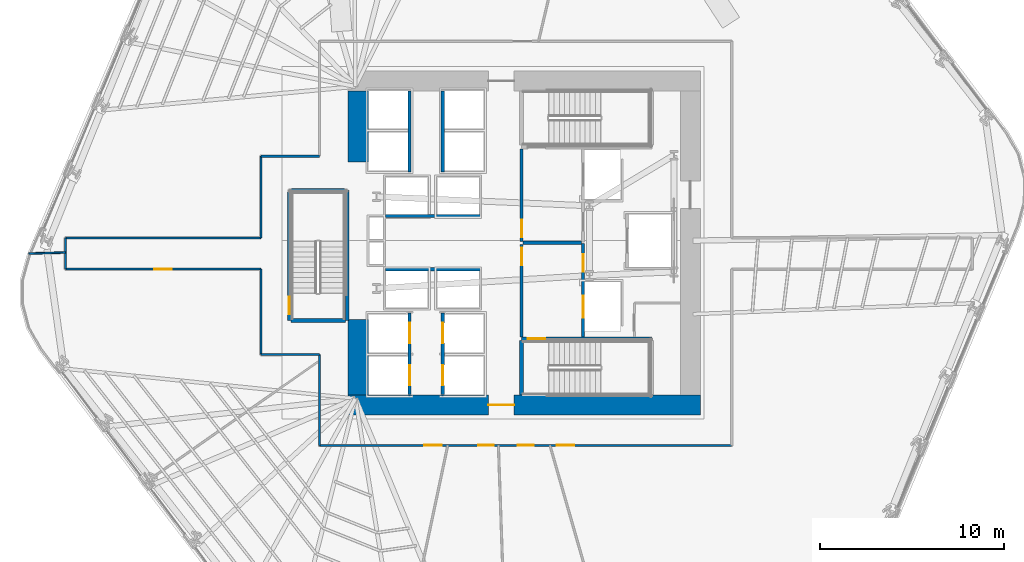
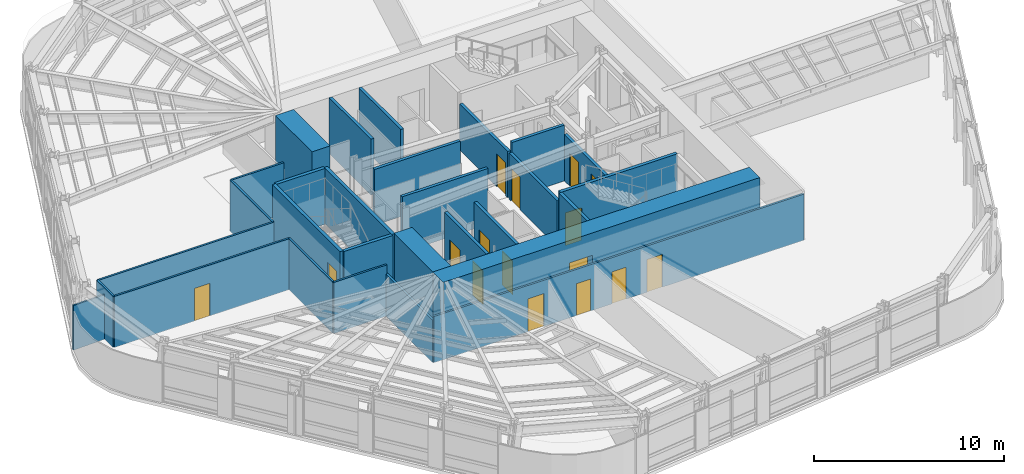
# One storey, part 8 of 16: 29 walls, 16 doors, 16 openings.
"""IFC4 building model written with IfcOpenShell, lengths in metres."""

from ifc_helpers import new_model, si_unit, direction, frame, frame_2d, origin, place, context, subcontext, project, spatial, rectangle, extrude, material, layer, layer_set, type_object, element, fill, save


model = new_model("IFC4")

# Units and contexts
model_context = context("Model", 3, precision=1e-05, world=origin(), true_north=direction((0.0, 1.0)))
body_context = subcontext(model_context, "Body", "Model", "MODEL_VIEW")
ifc_project = project(units=[si_unit("LENGTHUNIT", "METRE"), si_unit("AREAUNIT", "SQUARE_METRE"), si_unit("VOLUMEUNIT", "CUBIC_METRE"), si_unit("PLANEANGLEUNIT", "RADIAN"), si_unit("MASSUNIT", "GRAM", prefix="KILO")], contexts=[model_context])

# Site, building, storey
site_placement = place(None, origin())
site = spatial("IfcSite", under=ifc_project, at=site_placement, CompositionType="ELEMENT")
building_placement = place(site_placement, origin())
building = spatial("IfcBuilding", under=site, at=building_placement, Name="Valkerne Bourse Tower", CompositionType="ELEMENT")
storey_placement = place(building_placement, frame((0.0, 0.0, 54.39990234375)))
storey = spatial("IfcBuildingStorey", under=building, at=storey_placement, Name="L13", CompositionType="ELEMENT", Elevation=54.39990234375)

# Wall, opening, door
ifc_material_1 = material(Name="Concrete C70/85", Category="concrete")
ifc_layer_1 = layer(ifc_material_1, 1.10009765625)
ifc_layer_set_1 = layer_set([ifc_layer_1], Name="Concrete C70/85")
wall_type_1 = type_object("IfcWallType", Name="W-CORE-1100", PredefinedType="SHEAR", material=ifc_layer_set_1)
wall_1_placement = place(storey_placement, frame((37.199951171875, 18.050048828125, 0.0), z_axis=(0.0, 0.0, 1.0), x_axis=(1.0, 0.0, 0.0)))
wall_1 = element("IfcWall", 1, at=wall_1_placement, inside=storey, type_object=wall_type_1, Name="L13 Core Shear Wall SOUTH", PredefinedType="SHEAR", context=body_context, shape_type="SweptSolid", body=[
    extrude(rectangle(XDim=19.199951171875, YDim=1.10009765625, at=frame_2d((9.60009765625, 0.0))), origin(), (0.0, 0.0, 1.0), 3.580078125),
])
opening_1_placement = place(wall_1_placement, frame((7.64990234375, 0.0, 0.0)))
opening_1 = element("IfcOpeningElement", 2, at=opening_1_placement, cuts=wall_1, Name="Opening D-PL-1400", PredefinedType="OPENING", context=body_context, shape_type="SweptSolid", body=[
    extrude(rectangle(XDim=1.39990234375, YDim=2.14990234375, at=frame_2d((0.699951171875, 1.074951171875))), frame((0.0, 0.56005859375, 0.0), z_axis=(0.0, -1.0, 0.0), x_axis=(1.0, 0.0, 0.0)), (0.0, 0.0, 1.0), 1.1201171875),
])
ifc_material_2 = material(Name="Galvanised Painted Steel", Category="steel")
door_type_1 = type_object("IfcDoorType", Name="DR-PLT-1400", OperationType="DOUBLE_DOOR_SINGLE_SWING", PredefinedType="DOOR", material=ifc_material_2)
door_1_placement = place(opening_1_placement, origin())
door_1 = element("IfcDoor", 3, at=door_1_placement, inside=storey, type_object=door_type_1, Name="L13 South Passenger Lift Hall Fire Door", OperationType="DOUBLE_DOOR_SINGLE_SWING", OverallHeight=2.14990234375, OverallWidth=1.39990234375, PredefinedType="DOOR", context=body_context, shape_type="SweptSolid", body=[
    extrude(rectangle(XDim=1.39990234375, YDim=2.14990234375, at=frame_2d((0.699951171875, 1.074951171875))), frame((0.0, 0.02490234375, 0.0), z_axis=(0.0, -1.0, 0.0), x_axis=(1.0, 0.0, 0.0)), (0.0, 0.0, 1.0), 0.050048828125),
])
fill(opening_1, door_1)

# Walls
wall_2_placement = place(storey_placement, frame((37.75, 18.60009765625, 0.0), z_axis=(0.0, 0.0, 1.0), x_axis=(0.0, 1.0, 0.0)))
element("IfcWall", 4, at=wall_2_placement, inside=storey, type_object=wall_type_1, Name="L13 Core Shear Wall WEST-S", PredefinedType="SHEAR", context=body_context, shape_type="SweptSolid", body=[
    extrude(rectangle(XDim=4.099853515625, YDim=1.10009765625, at=frame_2d((2.0498046875, 0.0))), origin(), (0.0, 0.0, 1.0), 3.580078125),
])
wall_3_placement = place(storey_placement, frame((37.75, 31.300048828125, 0.0), z_axis=(0.0, 0.0, 1.0), x_axis=(0.0, 1.0, 0.0)))
element("IfcWall", 5, at=wall_3_placement, inside=storey, type_object=wall_type_1, Name="L13 Core Shear Wall WEST-N", PredefinedType="SHEAR", context=body_context, shape_type="SweptSolid", body=[
    extrude(rectangle(XDim=3.849853515625, YDim=1.10009765625, at=frame_2d((1.9248046875, 0.0))), origin(), (0.0, 0.0, 1.0), 3.580078125),
])

# Wall, openings, doors
ifc_material_3 = material(Name="Gypsum Board Steel-Stud Partition", Category="steel")
ifc_layer_2 = layer(ifc_material_3, 0.117919921875)
ifc_layer_set_2 = layer_set([ifc_layer_2], Name="Gypsum Board Steel-Stud Partition")
wall_type_2 = type_object("IfcWallType", Name="W-CORR-140", PredefinedType="PARTITIONING", material=ifc_layer_set_2)
wall_4_placement = place(storey_placement, frame((58.10009765625, 15.85009765625, 0.0), z_axis=(0.0, 0.0, 1.0), x_axis=(-1.0, 0.0, 0.0)))
wall_4 = element("IfcWall", 6, at=wall_4_placement, inside=storey, type_object=wall_type_2, Name="L13 Corridor Enclosure Wall", PredefinedType="PARTITIONING", context=body_context, shape_type="SweptSolid", body=[
    extrude(rectangle(XDim=22.4501953125, YDim=0.117919921875, at=frame_2d((11.22509765625, 0.0))), origin(), (0.0, 0.0, 1.0), 2.962890625),
])
opening_2_placement = place(wall_4_placement, frame((10.794921875, 0.0, 0.0)))
opening_2 = element("IfcOpeningElement", 7, at=opening_2_placement, cuts=wall_4, Name="Opening D-WC-900", PredefinedType="OPENING", context=body_context, shape_type="SweptSolid", body=[
    extrude(rectangle(XDim=0.860107421875, YDim=2.050048828125, at=frame_2d((0.43017578125, 1.02490234375))), frame((0.0, 0.06884765625, 0.0), z_axis=(0.0, -1.0, 0.0), x_axis=(1.0, 0.0, 0.0)), (0.0, 0.0, 1.0), 0.137939453125),
])
opening_3_placement = place(wall_4_placement, frame((12.955078125, 0.0, 0.0)))
opening_3 = element("IfcOpeningElement", 8, at=opening_3_placement, cuts=wall_4, Name="Opening D-WC-900", PredefinedType="OPENING", context=body_context, shape_type="SweptSolid", body=[
    extrude(rectangle(XDim=0.860107421875, YDim=2.050048828125, at=frame_2d((0.43017578125, 1.02490234375))), frame((0.0, 0.06884765625, 0.0), z_axis=(0.0, -1.0, 0.0), x_axis=(1.0, 0.0, 0.0)), (0.0, 0.0, 1.0), 0.137939453125),
])
opening_4_placement = place(wall_4_placement, frame((15.7900390625, 0.0, 0.0)))
opening_4 = element("IfcOpeningElement", 9, at=opening_4_placement, cuts=wall_4, Name="Opening D-OF-950", PredefinedType="OPENING", context=body_context, shape_type="SweptSolid", body=[
    extrude(rectangle(XDim=0.949951171875, YDim=2.10009765625, at=frame_2d((0.47509765625, 1.050048828125))), frame((0.0, 0.06884765625, 0.0), z_axis=(0.0, -1.0, 0.0), x_axis=(1.0, 0.0, 0.0)), (0.0, 0.0, 1.0), 0.137939453125),
])
opening_5_placement = place(wall_4_placement, frame((8.590087890625, 0.0, 0.0)))
opening_5 = element("IfcOpeningElement", 10, at=opening_5_placement, cuts=wall_4, Name="Opening D-OF-950", PredefinedType="OPENING", context=body_context, shape_type="SweptSolid", body=[
    extrude(rectangle(XDim=0.949951171875, YDim=2.10009765625, at=frame_2d((0.47509765625, 1.050048828125))), frame((0.0, 0.06884765625, 0.0), z_axis=(0.0, -1.0, 0.0), x_axis=(1.0, 0.0, 0.0)), (0.0, 0.0, 1.0), 0.137939453125),
])
ifc_material_4 = material(Name="Architectural White Oak Timber", Category="wood")
door_type_2 = type_object("IfcDoorType", Name="DR-OFF-950", OperationType="NOTDEFINED", PredefinedType="DOOR", material=ifc_material_4)
door_2_placement = place(opening_4_placement, origin())
door_2 = element("IfcDoor", 11, at=door_2_placement, inside=storey, type_object=door_type_2, Name="L13 L13 Occupational Wellness Clinic 4 Door", OperationType="SINGLE_SWING_LEFT", OverallHeight=2.10009765625, OverallWidth=0.949951171875, PredefinedType="DOOR", context=body_context, shape_type="SweptSolid", body=[
    extrude(rectangle(XDim=0.949951171875, YDim=2.10009765625, at=frame_2d((0.47509765625, 1.050048828125))), frame((0.0, 0.02490234375, 0.0), z_axis=(0.0, -1.0, 0.0), x_axis=(1.0, 0.0, 0.0)), (0.0, 0.0, 1.0), 0.050048828125),
])
fill(opening_4, door_2)
door_3_placement = place(opening_5_placement, origin())
door_3 = element("IfcDoor", 12, at=door_3_placement, inside=storey, type_object=door_type_2, Name="L13 L13 Trading Desk Office 6 Door", OperationType="SINGLE_SWING_LEFT", OverallHeight=2.10009765625, OverallWidth=0.949951171875, PredefinedType="DOOR", context=body_context, shape_type="SweptSolid", body=[
    extrude(rectangle(XDim=0.949951171875, YDim=2.10009765625, at=frame_2d((0.47509765625, 1.050048828125))), frame((0.0, 0.02490234375, 0.0), z_axis=(0.0, -1.0, 0.0), x_axis=(1.0, 0.0, 0.0)), (0.0, 0.0, 1.0), 0.050048828125),
])
fill(opening_5, door_3)
door_type_3 = type_object("IfcDoorType", Name="DR-WC-900", OperationType="NOTDEFINED", PredefinedType="DOOR", material=ifc_material_4)
door_4_placement = place(opening_2_placement, origin())
door_4 = element("IfcDoor", 13, at=door_4_placement, inside=storey, type_object=door_type_3, Name="L13 L13 Men Bathroom WC 1 Door", OperationType="SINGLE_SWING_LEFT", OverallHeight=2.050048828125, OverallWidth=0.860107421875, PredefinedType="DOOR", context=body_context, shape_type="SweptSolid", body=[
    extrude(rectangle(XDim=0.860107421875, YDim=2.050048828125, at=frame_2d((0.43017578125, 1.02490234375))), frame((0.0, 0.02490234375, 0.0), z_axis=(0.0, -1.0, 0.0), x_axis=(1.0, 0.0, 0.0)), (0.0, 0.0, 1.0), 0.050048828125),
])
fill(opening_2, door_4)
door_5_placement = place(opening_3_placement, origin())
door_5 = element("IfcDoor", 14, at=door_5_placement, inside=storey, type_object=door_type_3, Name="L13 L13 Women Restroom & Shower WC 2 Door", OperationType="SINGLE_SWING_LEFT", OverallHeight=2.050048828125, OverallWidth=0.860107421875, PredefinedType="DOOR", context=body_context, shape_type="SweptSolid", body=[
    extrude(rectangle(XDim=0.860107421875, YDim=2.050048828125, at=frame_2d((0.43017578125, 1.02490234375))), frame((0.0, 0.02490234375, 0.0), z_axis=(0.0, -1.0, 0.0), x_axis=(1.0, 0.0, 0.0)), (0.0, 0.0, 1.0), 0.050048828125),
])
fill(opening_3, door_5)

# Walls
wall_5_placement = place(storey_placement, frame((35.64990234375, 15.85009765625, 0.0), z_axis=(0.0, 0.0, 1.0), x_axis=(0.0, 1.0, 0.0)))
element("IfcWall", 15, at=wall_5_placement, inside=storey, type_object=wall_type_2, Name="L13 Corridor Enclosure Wall", PredefinedType="PARTITIONING", context=body_context, shape_type="SweptSolid", body=[
    extrude(rectangle(XDim=4.949951171875, YDim=0.117919921875, at=frame_2d((2.47509765625, 0.0))), origin(), (0.0, 0.0, 1.0), 2.71142578125),
])
wall_6_placement = place(storey_placement, frame((35.64990234375, 20.800048828125, 0.0), z_axis=(0.0, 0.0, 1.0), x_axis=(-1.0, 0.0, 0.0)))
element("IfcWall", 16, at=wall_6_placement, inside=storey, type_object=wall_type_2, Name="L13 Corridor Enclosure Wall", PredefinedType="PARTITIONING", context=body_context, shape_type="SweptSolid", body=[
    extrude(rectangle(XDim=3.199951171875, YDim=0.117919921875, at=frame_2d((1.60009765625, 0.0))), origin(), (0.0, 0.0, 1.0), 3.280029296875),
])
wall_7_placement = place(storey_placement, frame((32.449951171875, 20.800048828125, 0.0), z_axis=(0.0, 0.0, 1.0), x_axis=(0.0, 1.0, 0.0)))
element("IfcWall", 17, at=wall_7_placement, inside=storey, type_object=wall_type_2, Name="L13 Corridor Enclosure Wall", PredefinedType="PARTITIONING", context=body_context, shape_type="SweptSolid", body=[
    extrude(rectangle(XDim=4.64990234375, YDim=0.117919921875, at=frame_2d((2.324951171875, 0.0))), origin(), (0.0, 0.0, 1.0), 3.280029296875),
])

# Wall, opening, door
wall_8_placement = place(storey_placement, frame((32.449951171875, 25.449951171875, 0.0), z_axis=(0.0, 0.0, 1.0), x_axis=(-1.0, 0.0, 0.0)))
wall_8 = element("IfcWall", 18, at=wall_8_placement, inside=storey, type_object=wall_type_2, Name="L13 Corridor Enclosure Wall", PredefinedType="PARTITIONING", context=body_context, shape_type="SweptSolid", body=[
    extrude(rectangle(XDim=10.64990234375, YDim=0.117919921875, at=frame_2d((5.324951171875, 0.0))), origin(), (0.0, 0.0, 1.0), 3.280029296875),
])
opening_6_placement = place(wall_8_placement, frame((4.85009765625, 0.0, 0.0)))
opening_6 = element("IfcOpeningElement", 19, at=opening_6_placement, cuts=wall_8, Name="Opening D-OF-950", PredefinedType="OPENING", context=body_context, shape_type="SweptSolid", body=[
    extrude(rectangle(XDim=0.949951171875, YDim=2.10009765625, at=frame_2d((0.47509765625, 1.050048828125))), frame((0.0, 0.06884765625, 0.0), z_axis=(0.0, -1.0, 0.0), x_axis=(1.0, 0.0, 0.0)), (0.0, 0.0, 1.0), 0.137939453125),
])
door_6_placement = place(opening_6_placement, origin())
door_6 = element("IfcDoor", 20, at=door_6_placement, inside=storey, type_object=door_type_2, Name="L13 L13 Occupational Wellness Clinic 3 Door", OperationType="SINGLE_SWING_LEFT", OverallHeight=2.10009765625, OverallWidth=0.949951171875, PredefinedType="DOOR", context=body_context, shape_type="SweptSolid", body=[
    extrude(rectangle(XDim=0.949951171875, YDim=2.10009765625, at=frame_2d((0.47509765625, 1.050048828125))), frame((0.0, 0.02490234375, 0.0), z_axis=(0.0, -1.0, 0.0), x_axis=(1.0, 0.0, 0.0)), (0.0, 0.0, 1.0), 0.050048828125),
])
fill(opening_6, door_6)

# Walls
wall_9_placement = place(storey_placement, frame((21.800048828125, 25.449951171875, 0.0), z_axis=(0.0, 0.0, 1.0), x_axis=(0.0, 1.0, 0.0)))
element("IfcWall", 21, at=wall_9_placement, inside=storey, type_object=wall_type_2, Name="L13 Corridor Enclosure Wall", PredefinedType="PARTITIONING", context=body_context, shape_type="SweptSolid", body=[
    extrude(rectangle(XDim=1.699951171875, YDim=0.117919921875, at=frame_2d((0.85009765625, 0.0))), origin(), (0.0, 0.0, 1.0), 3.280029296875),
])
wall_10_placement = place(storey_placement, frame((21.800048828125, 27.14990234375, 0.0), z_axis=(0.0, 0.0, 1.0), x_axis=(1.0, 0.0, 0.0)))
element("IfcWall", 22, at=wall_10_placement, inside=storey, type_object=wall_type_2, Name="L13 Corridor Enclosure Wall", PredefinedType="PARTITIONING", context=body_context, shape_type="SweptSolid", body=[
    extrude(rectangle(XDim=10.64990234375, YDim=0.117919921875, at=frame_2d((5.324951171875, 0.0))), origin(), (0.0, 0.0, 1.0), 3.280029296875),
])
wall_11_placement = place(storey_placement, frame((32.449951171875, 27.14990234375, 0.0), z_axis=(0.0, 0.0, 1.0), x_axis=(0.0, 1.0, 0.0)))
element("IfcWall", 23, at=wall_11_placement, inside=storey, type_object=wall_type_2, Name="L13 Corridor Enclosure Wall", PredefinedType="PARTITIONING", context=body_context, shape_type="SweptSolid", body=[
    extrude(rectangle(XDim=4.4501953125, YDim=0.117919921875, at=frame_2d((2.22509765625, 0.0))), origin(), (0.0, 0.0, 1.0), 3.280029296875),
])
wall_12_placement = place(storey_placement, frame((32.449951171875, 31.60009765625, 0.0), z_axis=(0.0, 0.0, 1.0), x_axis=(1.0, 0.0, 0.0)))
element("IfcWall", 24, at=wall_12_placement, inside=storey, type_object=wall_type_2, Name="L13 Corridor Enclosure Wall", PredefinedType="PARTITIONING", context=body_context, shape_type="SweptSolid", body=[
    extrude(rectangle(XDim=3.199951171875, YDim=0.117919921875, at=frame_2d((1.60009765625, 0.0))), origin(), (0.0, 0.0, 1.0), 3.280029296875),
])
ifc_material_5 = material(Name="Gypsum Fire-Rated Shaftwall", Category="gypsum")
ifc_layer_3 = layer(ifc_material_5, 0.179931640625)
ifc_layer_set_3 = layer_set([ifc_layer_3], Name="Gypsum Fire-Rated Shaftwall")
wall_type_3 = type_object("IfcWallType", Name="W-FSAE-180", PredefinedType="PARTITIONING", material=ifc_layer_set_3)
wall_13_placement = place(storey_placement, frame((46.739990234375, 26.8798828125, 0.0), z_axis=(0.0, 0.0, 1.0), x_axis=(1.0, 0.0, 0.0)))
element("IfcWall", 25, at=wall_13_placement, inside=storey, type_object=wall_type_3, Name="L13 FSAE-1/2 Lobby Dividing Fire Wall", PredefinedType="PARTITIONING", context=body_context, shape_type="SweptSolid", body=[
    extrude(rectangle(XDim=3.169921875, YDim=0.179931640625, at=frame_2d((1.5849609375, 0.0))), origin(), (0.0, 0.0, 1.0), 3.580078125),
])

# Wall, opening, door
wall_14_placement = place(storey_placement, frame((46.64990234375, 21.75, 0.0), z_axis=(0.0, 0.0, 1.0), x_axis=(0.0, 1.0, 0.0)))
wall_14 = element("IfcWall", 26, at=wall_14_placement, inside=storey, type_object=wall_type_3, Name="L13 FSAE-1 Lobby West Fire Wall", PredefinedType="PARTITIONING", context=body_context, shape_type="SweptSolid", body=[
    extrude(rectangle(XDim=5.050048828125, YDim=0.179931640625, at=frame_2d((2.52490234375, 0.0))), origin(), (0.0, 0.0, 1.0), 2.9580078125),
])
opening_7_placement = place(wall_14_placement, frame((3.919921875, 0.0, 0.0)))
opening_7 = element("IfcOpeningElement", 27, at=opening_7_placement, cuts=wall_14, Name="Opening D-FS-950", PredefinedType="OPENING", context=body_context, shape_type="SweptSolid", body=[
    extrude(rectangle(XDim=0.949951171875, YDim=2.10009765625, at=frame_2d((0.47509765625, 1.050048828125))), frame((0.0, 0.099853515625, 0.0), z_axis=(0.0, -1.0, 0.0), x_axis=(1.0, 0.0, 0.0)), (0.0, 0.0, 1.0), 0.199951171875),
])
door_type_4 = type_object("IfcDoorType", Name="DR-FSAE-950", OperationType="NOTDEFINED", PredefinedType="DOOR", material=ifc_material_2)
door_7_placement = place(opening_7_placement, origin())
door_7 = element("IfcDoor", 28, at=door_7_placement, inside=storey, type_object=door_type_4, Name="L13 FSAE-1 Hall Link Fire Door", OperationType="SINGLE_SWING_RIGHT", OverallHeight=2.10009765625, OverallWidth=0.949951171875, PredefinedType="DOOR", context=body_context, shape_type="SweptSolid", body=[
    extrude(rectangle(XDim=0.949951171875, YDim=2.10009765625, at=frame_2d((0.47509765625, 1.050048828125))), frame((0.0, 0.02490234375, 0.0), z_axis=(0.0, -1.0, 0.0), x_axis=(1.0, 0.0, 0.0)), (0.0, 0.0, 1.0), 0.050048828125),
])
fill(opening_7, door_7)

wall_15_placement = place(storey_placement, frame((46.64990234375, 26.9599609375, 0.0), z_axis=(0.0, 0.0, 1.0), x_axis=(0.0, 1.0, 0.0)))
wall_15 = element("IfcWall", 29, at=wall_15_placement, inside=storey, type_object=wall_type_3, Name="L13 FSAE-2 Lobby West Fire Wall", PredefinedType="PARTITIONING", context=body_context, shape_type="SweptSolid", body=[
    extrude(rectangle(XDim=5.0400390625, YDim=0.179931640625, at=frame_2d((2.52001953125, 0.0))), origin(), (0.0, 0.0, 1.0), 2.9580078125),
])
opening_8_placement = place(wall_15_placement, frame((0.219970703125, 0.0, 0.0)))
opening_8 = element("IfcOpeningElement", 30, at=opening_8_placement, cuts=wall_15, Name="Opening D-FS-950", PredefinedType="OPENING", context=body_context, shape_type="SweptSolid", body=[
    extrude(rectangle(XDim=0.949951171875, YDim=2.10009765625, at=frame_2d((0.47509765625, 1.050048828125))), frame((0.0, 0.099853515625, 0.0), z_axis=(0.0, -1.0, 0.0), x_axis=(1.0, 0.0, 0.0)), (0.0, 0.0, 1.0), 0.199951171875),
])
door_8_placement = place(opening_8_placement, origin())
door_8 = element("IfcDoor", 31, at=door_8_placement, inside=storey, type_object=door_type_4, Name="L13 FSAE-2 Hall Link Fire Door", OperationType="SINGLE_SWING_RIGHT", OverallHeight=2.10009765625, OverallWidth=0.949951171875, PredefinedType="DOOR", context=body_context, shape_type="SweptSolid", body=[
    extrude(rectangle(XDim=0.949951171875, YDim=2.10009765625, at=frame_2d((0.47509765625, 1.050048828125))), frame((0.0, 0.02490234375, 0.0), z_axis=(0.0, -1.0, 0.0), x_axis=(1.0, 0.0, 0.0)), (0.0, 0.0, 1.0), 0.050048828125),
])
fill(opening_8, door_8)

# Wall, openings, doors
wall_16_placement = place(storey_placement, frame((50.0, 21.75, 0.0), z_axis=(0.0, 0.0, 1.0), x_axis=(0.0, 1.0, 0.0)))
wall_16 = element("IfcWall", 32, at=wall_16_placement, inside=storey, type_object=wall_type_3, Name="L13 FSAE-1 Lobby & Shaft Front Wall", PredefinedType="PARTITIONING", context=body_context, shape_type="SweptSolid", body=[
    extrude(rectangle(XDim=5.090087890625, YDim=0.179931640625, at=frame_2d((2.544921875, 0.0))), origin(), (0.0, 0.0, 1.0), 2.9580078125),
])
opening_9_placement = place(wall_16_placement, frame((1.050048828125, 0.0, 0.0)))
opening_9 = element("IfcOpeningElement", 33, at=opening_9_placement, cuts=wall_16, Name="Opening LD-1200", PredefinedType="OPENING", context=body_context, shape_type="SweptSolid", body=[
    extrude(rectangle(XDim=1.199951171875, YDim=2.14990234375, at=frame_2d((0.60009765625, 1.074951171875))), frame((0.0, 0.099853515625, 0.0), z_axis=(0.0, -1.0, 0.0), x_axis=(1.0, 0.0, 0.0)), (0.0, 0.0, 1.0), 0.199951171875),
])
opening_10_placement = place(wall_16_placement, frame((3.550048828125, 0.0, 0.0)))
opening_10 = element("IfcOpeningElement", 34, at=opening_10_placement, cuts=wall_16, Name="Opening D-FS-950", PredefinedType="OPENING", context=body_context, shape_type="SweptSolid", body=[
    extrude(rectangle(XDim=0.949951171875, YDim=2.10009765625, at=frame_2d((0.47509765625, 1.050048828125))), frame((0.0, 0.099853515625, 0.0), z_axis=(0.0, -1.0, 0.0), x_axis=(1.0, 0.0, 0.0)), (0.0, 0.0, 1.0), 0.199951171875),
])
door_9_placement = place(opening_10_placement, origin())
door_9 = element("IfcDoor", 35, at=door_9_placement, inside=storey, type_object=door_type_4, Name="L13 FSAE-1 Lobby Corridor Fire Door", OperationType="SINGLE_SWING_RIGHT", OverallHeight=2.10009765625, OverallWidth=0.949951171875, PredefinedType="DOOR", context=body_context, shape_type="SweptSolid", body=[
    extrude(rectangle(XDim=0.949951171875, YDim=2.10009765625, at=frame_2d((0.47509765625, 1.050048828125))), frame((0.0, 0.02490234375, 0.0), z_axis=(0.0, -1.0, 0.0), x_axis=(1.0, 0.0, 0.0)), (0.0, 0.0, 1.0), 0.050048828125),
])
fill(opening_10, door_9)
ifc_material_6 = material(Name="Stainless Steel AISI 316", Category="steel")
door_type_5 = type_object("IfcDoorType", Name="DR-LIFT-1200", OperationType="DOUBLE_DOOR_SLIDING", PredefinedType="DOOR", material=ifc_material_6)
door_10_placement = place(opening_9_placement, origin())
door_10 = element("IfcDoor", 36, at=door_10_placement, inside=storey, type_object=door_type_5, Name="L13 FSAE-1 Firefighting Lift Landing Door", OperationType="DOUBLE_DOOR_SLIDING", OverallHeight=2.14990234375, OverallWidth=1.199951171875, PredefinedType="DOOR", context=body_context, shape_type="SweptSolid", body=[
    extrude(rectangle(XDim=1.199951171875, YDim=2.14990234375, at=frame_2d((0.60009765625, 1.074951171875))), frame((0.0, 0.02490234375, 0.0), z_axis=(0.0, -1.0, 0.0), x_axis=(1.0, 0.0, 0.0)), (0.0, 0.0, 1.0), 0.050048828125),
])
fill(opening_9, door_10)

ifc_material_7 = material(Name="CMU Blockwork Masonry 200mm", Category="masonry")
ifc_layer_4 = layer(ifc_material_7, 0.179931640625)
ifc_layer_set_4 = layer_set([ifc_layer_4], Name="CMU Blockwork Masonry 200mm")
wall_type_4 = type_object("IfcWallType", Name="W-LFT-180", PredefinedType="SOLIDWALL", material=ifc_layer_set_4)
wall_17_placement = place(storey_placement, frame((40.550048828125, 18.6201171875, 0.0), z_axis=(0.0, 0.0, 1.0), x_axis=(0.0, 1.0, 0.0)))
wall_17 = element("IfcWall", 37, at=wall_17_placement, inside=storey, type_object=wall_type_4, Name="L13 Low-Zone West Cars Front Wall", PredefinedType="SOLIDWALL", context=body_context, shape_type="SweptSolid", body=[
    extrude(rectangle(XDim=4.429931640625, YDim=0.179931640625, at=frame_2d((2.21484375, 0.0))), origin(), (0.0, 0.0, 1.0), 3.580078125),
])
opening_11_placement = place(wall_17_placement, frame((0.5, 0.0, 0.0)))
opening_11 = element("IfcOpeningElement", 38, at=opening_11_placement, cuts=wall_17, Name="Opening LD-1100", PredefinedType="OPENING", context=body_context, shape_type="SweptSolid", body=[
    extrude(rectangle(XDim=1.10009765625, YDim=2.14990234375, at=frame_2d((0.550048828125, 1.074951171875))), frame((0.0, 0.099853515625, 0.0), z_axis=(0.0, -1.0, 0.0), x_axis=(1.0, 0.0, 0.0)), (0.0, 0.0, 1.0), 0.199951171875),
])
opening_12_placement = place(wall_17_placement, frame((2.800048828125, 0.0, 0.0)))
opening_12 = element("IfcOpeningElement", 39, at=opening_12_placement, cuts=wall_17, Name="Opening LD-1100", PredefinedType="OPENING", context=body_context, shape_type="SweptSolid", body=[
    extrude(rectangle(XDim=1.10009765625, YDim=2.14990234375, at=frame_2d((0.550048828125, 1.074951171875))), frame((0.0, 0.099853515625, 0.0), z_axis=(0.0, -1.0, 0.0), x_axis=(1.0, 0.0, 0.0)), (0.0, 0.0, 1.0), 0.199951171875),
])
door_type_6 = type_object("IfcDoorType", Name="DR-LIFT-1100", OperationType="DOUBLE_DOOR_SLIDING", PredefinedType="DOOR", material=ifc_material_6)
door_11_placement = place(opening_11_placement, origin())
door_11 = element("IfcDoor", 40, at=door_11_placement, inside=storey, type_object=door_type_6, Name="L13 Passenger Lift PL-L1 Sliding Landing Door", OperationType="DOUBLE_DOOR_SLIDING", OverallHeight=2.14990234375, OverallWidth=1.10009765625, PredefinedType="DOOR", context=body_context, shape_type="SweptSolid", body=[
    extrude(rectangle(XDim=1.10009765625, YDim=2.14990234375, at=frame_2d((0.550048828125, 1.074951171875))), frame((0.0, 0.02490234375, 0.0), z_axis=(0.0, -1.0, 0.0), x_axis=(1.0, 0.0, 0.0)), (0.0, 0.0, 1.0), 0.050048828125),
])
fill(opening_11, door_11)
door_12_placement = place(opening_12_placement, origin())
door_12 = element("IfcDoor", 41, at=door_12_placement, inside=storey, type_object=door_type_6, Name="L13 Passenger Lift PL-L2 Sliding Landing Door", OperationType="DOUBLE_DOOR_SLIDING", OverallHeight=2.14990234375, OverallWidth=1.10009765625, PredefinedType="DOOR", context=body_context, shape_type="SweptSolid", body=[
    extrude(rectangle(XDim=1.10009765625, YDim=2.14990234375, at=frame_2d((0.550048828125, 1.074951171875))), frame((0.0, 0.02490234375, 0.0), z_axis=(0.0, -1.0, 0.0), x_axis=(1.0, 0.0, 0.0)), (0.0, 0.0, 1.0), 0.050048828125),
])
fill(opening_12, door_12)

wall_18_placement = place(storey_placement, frame((42.35009765625, 18.6201171875, 0.0), z_axis=(0.0, 0.0, 1.0), x_axis=(0.0, 1.0, 0.0)))
wall_18 = element("IfcWall", 42, at=wall_18_placement, inside=storey, type_object=wall_type_4, Name="L13 Low-Zone East Cars Front Wall", PredefinedType="SOLIDWALL", context=body_context, shape_type="SweptSolid", body=[
    extrude(rectangle(XDim=4.429931640625, YDim=0.179931640625, at=frame_2d((2.21484375, 0.0))), origin(), (0.0, 0.0, 1.0), 3.580078125),
])
opening_13_placement = place(wall_18_placement, frame((0.5, 0.0, 0.0)))
opening_13 = element("IfcOpeningElement", 43, at=opening_13_placement, cuts=wall_18, Name="Opening LD-1100", PredefinedType="OPENING", context=body_context, shape_type="SweptSolid", body=[
    extrude(rectangle(XDim=1.10009765625, YDim=2.14990234375, at=frame_2d((0.550048828125, 1.074951171875))), frame((0.0, 0.099853515625, 0.0), z_axis=(0.0, -1.0, 0.0), x_axis=(1.0, 0.0, 0.0)), (0.0, 0.0, 1.0), 0.199951171875),
])
opening_14_placement = place(wall_18_placement, frame((2.800048828125, 0.0, 0.0)))
opening_14 = element("IfcOpeningElement", 44, at=opening_14_placement, cuts=wall_18, Name="Opening LD-1100", PredefinedType="OPENING", context=body_context, shape_type="SweptSolid", body=[
    extrude(rectangle(XDim=1.10009765625, YDim=2.14990234375, at=frame_2d((0.550048828125, 1.074951171875))), frame((0.0, 0.099853515625, 0.0), z_axis=(0.0, -1.0, 0.0), x_axis=(1.0, 0.0, 0.0)), (0.0, 0.0, 1.0), 0.199951171875),
])
door_13_placement = place(opening_13_placement, origin())
door_13 = element("IfcDoor", 45, at=door_13_placement, inside=storey, type_object=door_type_6, Name="L13 Passenger Lift PL-L3 Sliding Landing Door", OperationType="DOUBLE_DOOR_SLIDING", OverallHeight=2.14990234375, OverallWidth=1.10009765625, PredefinedType="DOOR", context=body_context, shape_type="SweptSolid", body=[
    extrude(rectangle(XDim=1.10009765625, YDim=2.14990234375, at=frame_2d((0.550048828125, 1.074951171875))), frame((0.0, 0.02490234375, 0.0), z_axis=(0.0, -1.0, 0.0), x_axis=(1.0, 0.0, 0.0)), (0.0, 0.0, 1.0), 0.050048828125),
])
fill(opening_13, door_13)
door_14_placement = place(opening_14_placement, origin())
door_14 = element("IfcDoor", 46, at=door_14_placement, inside=storey, type_object=door_type_6, Name="L13 Passenger Lift PL-L4 Sliding Landing Door", OperationType="DOUBLE_DOOR_SLIDING", OverallHeight=2.14990234375, OverallWidth=1.10009765625, PredefinedType="DOOR", context=body_context, shape_type="SweptSolid", body=[
    extrude(rectangle(XDim=1.10009765625, YDim=2.14990234375, at=frame_2d((0.550048828125, 1.074951171875))), frame((0.0, 0.02490234375, 0.0), z_axis=(0.0, -1.0, 0.0), x_axis=(1.0, 0.0, 0.0)), (0.0, 0.0, 1.0), 0.050048828125),
])
fill(opening_14, door_14)

# Walls
for number, where, z_axis, x_axis, name in (
    (47, (40.550048828125, 30.75, 0.0), (0.0, 0.0, 1.0), (0.0, 1.0, 0.0), "L13 Mid-Zone West Cars Front Wall"),
    (48, (42.35009765625, 30.75, 0.0), (0.0, 0.0, 1.0), (0.0, 1.0, 0.0), "L13 Mid-Zone East Cars Front Wall"),
):
    element("IfcWall", number, at=place(storey_placement, frame(where, z_axis=z_axis, x_axis=x_axis)), inside=storey, type_object=wall_type_4, Name=name, PredefinedType="SOLIDWALL", context=body_context, shape_type="SweptSolid", body=[
        extrude(rectangle(XDim=4.39990234375, YDim=0.179931640625, at=frame_2d((2.199951171875, 0.0))), origin(), (0.0, 0.0, 1.0), 3.580078125),
    ])
for number, where, z_axis, x_axis, name in (
    (49, (39.25, 25.449951171875, 0.0), (0.0, 0.0, 1.0), (1.0, 0.0, 0.0), "L13 High-Zone South Cars Front Wall"),
    (50, (39.25, 28.35009765625, 0.0), (0.0, 0.0, 1.0), (1.0, 0.0, 0.0), "L13 High-Zone North Cars Front Wall"),
):
    element("IfcWall", number, at=place(storey_placement, frame(where, z_axis=z_axis, x_axis=x_axis)), inside=storey, type_object=wall_type_4, Name=name, PredefinedType="SOLIDWALL", context=body_context, shape_type="SweptSolid", body=[
        extrude(rectangle(XDim=5.199951171875, YDim=0.179931640625, at=frame_2d((2.60009765625, 0.0))), origin(), (0.0, 0.0, 1.0), 3.580078125),
    ])
ifc_layer_5 = layer(ifc_material_3, 0.092041015625)
ifc_layer_set_5 = layer_set([ifc_layer_5], Name="Gypsum Board Steel-Stud Partition")
wall_type_5 = type_object("IfcWallType", Name="W-PART-115", PredefinedType="PARTITIONING", material=ifc_layer_set_5)
wall_19_placement = place(storey_placement, frame((21.794921875, 26.355224609375, 0.0), z_axis=(0.0, 0.0, 1.0), x_axis=(-0.999615370392, -0.027732855529, 0.0)))
element("IfcWall", 51, at=wall_19_placement, inside=storey, type_object=wall_type_5, Name="L13 Suite Partition P05", PredefinedType="PARTITIONING", context=body_context, shape_type="SweptSolid", body=[
    extrude(rectangle(XDim=1.980712890625, YDim=0.092041015625, at=frame_2d((0.990234375, 0.0))), origin(), (0.0, 0.0, 1.0), 2.864013671875),
])

# Wall, opening, door
ifc_material_8 = material(Name="Concrete C40/50", Category="concrete")
ifc_layer_6 = layer(ifc_material_8, 0.199951171875)
ifc_layer_set_6 = layer_set([ifc_layer_6], Name="Concrete C40/50")
wall_type_6 = type_object("IfcWallType", Name="W-SHF-200", PredefinedType="SHEAR", material=ifc_layer_set_6)
wall_20_placement = place(storey_placement, frame((46.64990234375, 21.64990234375, 0.0), z_axis=(0.0, 0.0, 1.0), x_axis=(1.0, 0.0, 0.0)))
wall_20 = element("IfcWall", 52, at=wall_20_placement, inside=storey, type_object=wall_type_6, Name="L13 Exit Stair ST-1 Structural Shaft Wall North", PredefinedType="SHEAR", context=body_context, shape_type="SweptSolid", body=[
    extrude(rectangle(XDim=7.10009765625, YDim=0.199951171875, at=frame_2d((3.550048828125, 0.0))), origin(), (0.0, 0.0, 1.0), 3.580078125),
])
opening_15_placement = place(wall_20_placement, frame((0.35009765625, 0.0, 0.0)))
opening_15 = element("IfcOpeningElement", 53, at=opening_15_placement, cuts=wall_20, Name="Opening D-ST-950", PredefinedType="OPENING", context=body_context, shape_type="SweptSolid", body=[
    extrude(rectangle(XDim=0.949951171875, YDim=2.10009765625, at=frame_2d((0.47509765625, 1.050048828125))), frame((0.0, 0.10986328125, 0.0), z_axis=(0.0, -1.0, 0.0), x_axis=(1.0, 0.0, 0.0)), (0.0, 0.0, 1.0), 0.219970703125),
])
door_type_7 = type_object("IfcDoorType", Name="DR-STAIR-950", OperationType="NOTDEFINED", PredefinedType="DOOR", material=ifc_material_2)
door_15_placement = place(opening_15_placement, origin())
door_15 = element("IfcDoor", 54, at=door_15_placement, inside=storey, type_object=door_type_7, Name="L13 Exit Stair ST-1 Door", OperationType="SINGLE_SWING_RIGHT", OverallHeight=2.10009765625, OverallWidth=0.949951171875, PredefinedType="DOOR", context=body_context, shape_type="SweptSolid", body=[
    extrude(rectangle(XDim=0.949951171875, YDim=2.10009765625, at=frame_2d((0.47509765625, 1.050048828125))), frame((0.0, 0.02490234375, 0.0), z_axis=(0.0, -1.0, 0.0), x_axis=(1.0, 0.0, 0.0)), (0.0, 0.0, 1.0), 0.050048828125),
])
fill(opening_15, door_15)

# Wall
wall_21_placement = place(storey_placement, frame((46.64990234375, 18.60009765625, 0.0), z_axis=(0.0, 0.0, 1.0), x_axis=(0.0, 1.0, 0.0)))
element("IfcWall", 55, at=wall_21_placement, inside=storey, type_object=wall_type_6, Name="L13 Exit Stair ST-1 Structural Shaft Wall West", PredefinedType="SHEAR", context=body_context, shape_type="SweptSolid", body=[
    extrude(rectangle(XDim=2.949951171875, YDim=0.199951171875, at=frame_2d((1.47509765625, 0.0))), origin(), (0.0, 0.0, 1.0), 3.580078125),
])

# Wall, opening, door
wall_22_placement = place(storey_placement, frame((34.0, 22.64990234375, 0.0), z_axis=(0.0, 0.0, 1.0), x_axis=(0.0, 1.0, 0.0)))
wall_22 = element("IfcWall", 56, at=wall_22_placement, inside=storey, type_object=wall_type_6, Name="L13 Exit Stair ST-3 Structural Shaft Wall West", PredefinedType="SHEAR", context=body_context, shape_type="SweptSolid", body=[
    extrude(rectangle(XDim=7.10009765625, YDim=0.199951171875, at=frame_2d((3.550048828125, 0.0))), origin(), (0.0, 0.0, 1.0), 3.580078125),
])
opening_16_placement = place(wall_22_placement, frame((0.35009765625, 0.0, 0.0)))
opening_16 = element("IfcOpeningElement", 57, at=opening_16_placement, cuts=wall_22, Name="Opening D-ST-950", PredefinedType="OPENING", context=body_context, shape_type="SweptSolid", body=[
    extrude(rectangle(XDim=0.949951171875, YDim=2.10009765625, at=frame_2d((0.47509765625, 1.050048828125))), frame((0.0, 0.10986328125, 0.0), z_axis=(0.0, -1.0, 0.0), x_axis=(1.0, 0.0, 0.0)), (0.0, 0.0, 1.0), 0.219970703125),
])
door_16_placement = place(opening_16_placement, origin())
door_16 = element("IfcDoor", 58, at=door_16_placement, inside=storey, type_object=door_type_7, Name="L13 Exit Stair ST-3 Door", OperationType="SINGLE_SWING_RIGHT", OverallHeight=2.10009765625, OverallWidth=0.949951171875, PredefinedType="DOOR", context=body_context, shape_type="SweptSolid", body=[
    extrude(rectangle(XDim=0.949951171875, YDim=2.10009765625, at=frame_2d((0.47509765625, 1.050048828125))), frame((0.0, 0.02490234375, 0.0), z_axis=(0.0, -1.0, 0.0), x_axis=(1.0, 0.0, 0.0)), (0.0, 0.0, 1.0), 0.050048828125),
])
fill(opening_16, door_16)

# Walls
for number, where, z_axis, x_axis, name in (
    (59, (34.10009765625, 22.64990234375, 0.0), (0.0, 0.0, 1.0), (1.0, 0.0, 0.0), "L13 Exit Stair ST-3 Structural Shaft Wall South"),
    (60, (34.10009765625, 29.75, 0.0), (0.0, 0.0, 1.0), (1.0, 0.0, 0.0), "L13 Exit Stair ST-3 Structural Shaft Wall North"),
):
    element("IfcWall", number, at=place(storey_placement, frame(where, z_axis=z_axis, x_axis=x_axis)), inside=storey, type_object=wall_type_6, Name=name, PredefinedType="SHEAR", context=body_context, shape_type="SweptSolid", body=[
        extrude(rectangle(XDim=2.949951171875, YDim=0.199951171875, at=frame_2d((1.47509765625, 0.0))), origin(), (0.0, 0.0, 1.0), 3.580078125),
    ])
wall_23_placement = place(storey_placement, frame((37.14990234375, 22.64990234375, 0.0), z_axis=(0.0, 0.0, 1.0), x_axis=(0.0, 1.0, 0.0)))
element("IfcWall", 61, at=wall_23_placement, inside=storey, type_object=wall_type_6, Name="L13 Exit Stair ST-3 Structural Shaft Wall East", PredefinedType="SHEAR", context=body_context, shape_type="SweptSolid", body=[
    extrude(rectangle(XDim=7.10009765625, YDim=0.199951171875, at=frame_2d((3.550048828125, 0.0))), origin(), (0.0, 0.0, 1.0), 3.580078125),
])

save(model, "model.ifc")
